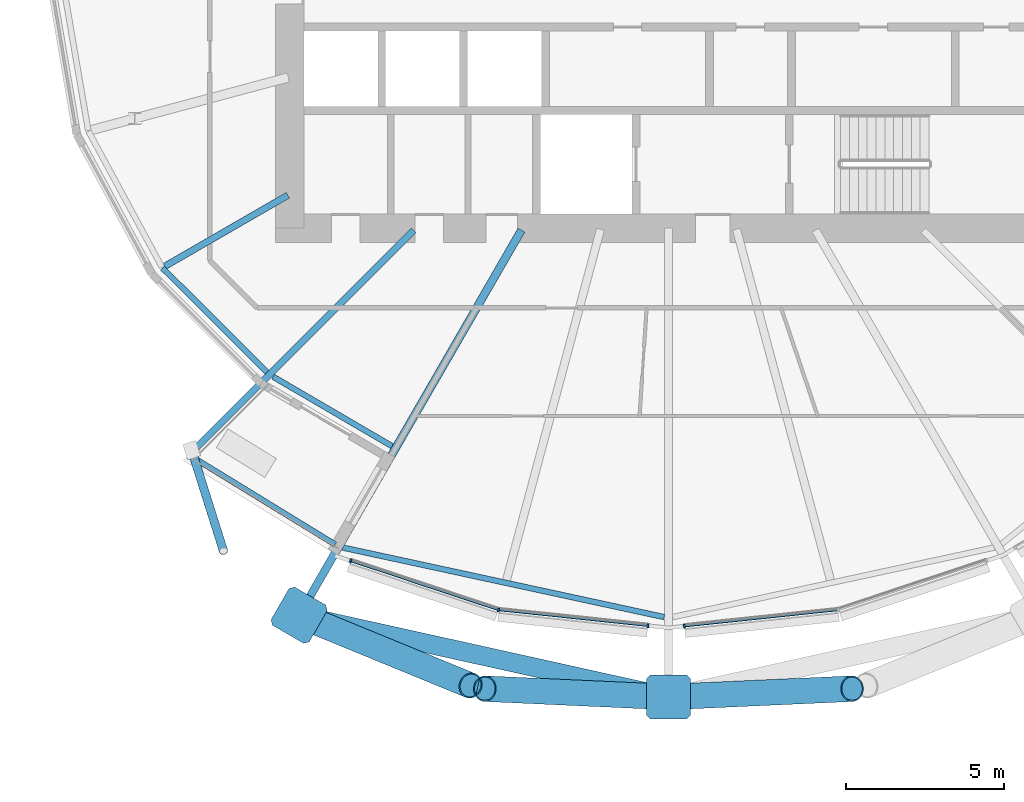
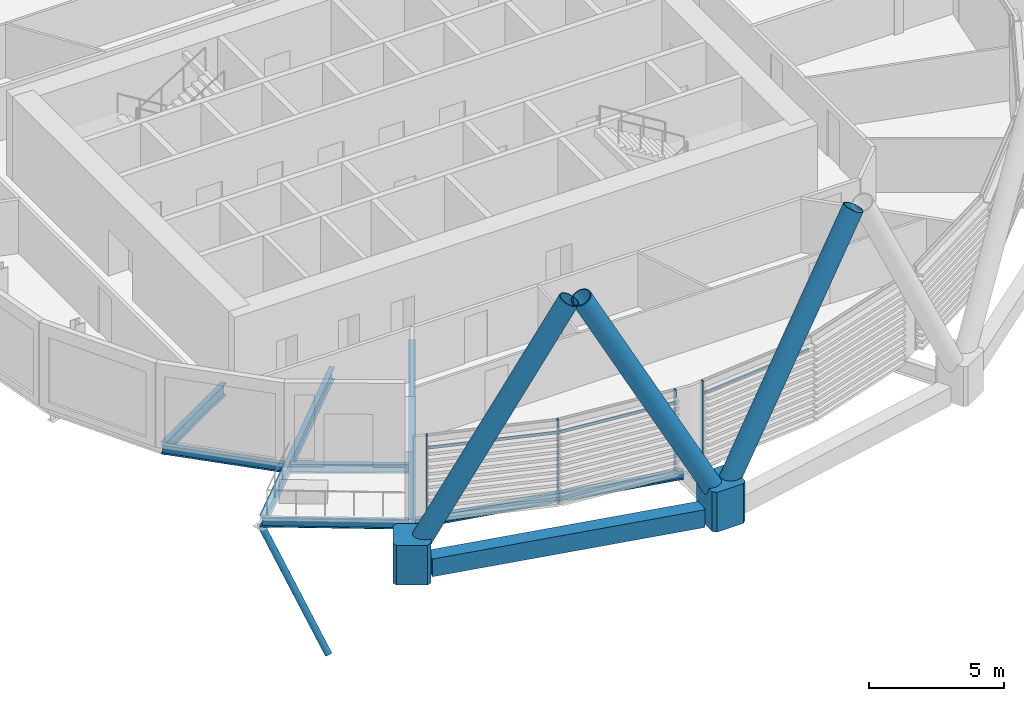
# One storey, part 3 of 40: 13 members, 8 beams, 1 element without a shape of its own.
"""IFC4 building model written with IfcOpenShell, lengths in metres."""

from ifc_helpers import new_model, si_unit, direction, frame, origin, origin_2d, place, context, subcontext, project, spatial, polyline, rectangle, hollow_rectangle, hollow_circle, i_section, outline, extrude, clip, halfspace, material, material_profile, profile_set, type_object, element, aggregate, save


model = new_model("IFC4")

# Units and contexts
model_context = context("Model", 3, precision=1e-05, world=origin(), true_north=direction((0.0, 1.0)))
body_context = subcontext(model_context, "Body", "Model", "MODEL_VIEW")
ifc_project = project(units=[si_unit("LENGTHUNIT", "METRE"), si_unit("AREAUNIT", "SQUARE_METRE"), si_unit("VOLUMEUNIT", "CUBIC_METRE"), si_unit("PLANEANGLEUNIT", "RADIAN"), si_unit("MASSUNIT", "GRAM", prefix="KILO")], contexts=[model_context])

# Site, building, storey
site_placement = place(None, origin())
site = spatial("IfcSite", under=ifc_project, at=site_placement, CompositionType="ELEMENT")
building_placement = place(site_placement, origin())
building = spatial("IfcBuilding", under=site, at=building_placement, Name="Rimbun Link Towers", CompositionType="ELEMENT")
storey_placement = place(building_placement, frame((0.0, 0.0, 52.800048828125)))
storey = spatial("IfcBuildingStorey", under=building, at=storey_placement, Name="L12", CompositionType="ELEMENT", Elevation=52.800048828125)

# Curtain wall, members
ifc_material_1 = material(Name="Aluminium 6063-T6 and low-iron glass", Category="aluminium")
curtain_wall_type = type_object("IfcCurtainWallType", Name="CW1 unitised vision wall", PredefinedType="NOTDEFINED", material=ifc_material_1)
curtain_wall_placement = place(storey_placement, origin())
curtain_wall = element("IfcCurtainWall", 1, at=curtain_wall_placement, inside=storey, type_object=curtain_wall_type, Name="CW1 L12 T1", PredefinedType="NOTDEFINED")
ifc_material_2 = material(Name="Aluminium 6063-T6", Category="aluminium")
ifc_material_profile_1 = material_profile(ifc_material_2, rectangle(XDim=0.1201171875, YDim=0.06005859375, at=origin_2d()), Name="MULLION 60X120")
ifc_profile_set_1 = profile_set([ifc_material_profile_1], Name="Aluminium 6063-T6")
member_type_1 = type_object("IfcMemberType", Name="CW1 mullion 60X120", PredefinedType="MULLION", material=ifc_profile_set_1)
member_1_placement = place(storey_placement, frame((-37.130615234375, -20.09228515625, 0.0), z_axis=(0.0, 0.0, 1.0), x_axis=(-0.210873842747, -0.977513285048, 0.0)))
member_1 = element("IfcMember", 2, at=member_1_placement, type_object=member_type_1, Name="CW1 mullion", PredefinedType="MULLION", context=body_context, shape_type="SweptSolid", body=[
    extrude(rectangle(XDim=0.1201171875, YDim=0.06005859375, at=origin_2d()), origin(), (0.0, 0.0, 1.0), 3.800048828125),
])
member_2_placement = place(storey_placement, frame((-41.81787109375, -18.53955078125, 0.0), z_axis=(0.0, 0.0, 1.0), x_axis=(-0.314563424855, -0.949236457235, 0.0)))
member_2 = element("IfcMember", 3, at=member_2_placement, type_object=member_type_1, Name="CW1 mullion", PredefinedType="MULLION", context=body_context, shape_type="SweptSolid", body=[
    extrude(rectangle(XDim=0.1201171875, YDim=0.06005859375, at=origin_2d()), origin(), (0.0, 0.0, 1.0), 3.800048828125),
])
member_3_placement = place(storey_placement, frame((-32.402587890625, -20.590576171875, 0.0), z_axis=(0.0, 0.0, 1.0), x_axis=(-0.104748434017, -0.994498750915, 0.0)))
member_3 = element("IfcMember", 4, at=member_3_placement, type_object=member_type_1, Name="CW1 mullion", PredefinedType="MULLION", context=body_context, shape_type="SweptSolid", body=[
    extrude(rectangle(XDim=0.1201171875, YDim=0.06005859375, at=origin_2d()), origin(), (0.0, 0.0, 1.0), 3.800048828125),
])
member_4_placement = place(storey_placement, frame((-31.24658203125, -20.6064453125, 0.0), z_axis=(0.0, 0.0, 1.0), x_axis=(0.104748434017, -0.994498750915, 0.0)))
member_4 = element("IfcMember", 5, at=member_4_placement, type_object=member_type_1, Name="CW1 mullion", PredefinedType="MULLION", context=body_context, shape_type="SweptSolid", body=[
    extrude(rectangle(XDim=0.1201171875, YDim=0.06005859375, at=origin_2d()), origin(), (0.0, 0.0, 1.0), 3.800048828125),
])
ifc_material_3 = material(Name="Aluminium 6063-T6", Category="aluminium")
ifc_material_profile_2 = material_profile(ifc_material_3, rectangle(XDim=0.06005859375, YDim=0.1201171875, at=origin_2d()), Name="TRANSOM 60X120")
ifc_profile_set_2 = profile_set([ifc_material_profile_2], Name="Aluminium 6063-T6")
member_type_2 = type_object("IfcMemberType", Name="CW1 transom 60X120", PredefinedType="USERDEFINED", material=ifc_profile_set_2)
member_5_placement = place(storey_placement, frame((-37.164794921875, -20.079345703125, 3.199951171875), z_axis=(-0.949238170968, 0.314558253392, 0.0), x_axis=(-0.314558253392, -0.949238170968, 0.0)))
member_5 = element("IfcMember", 6, at=member_5_placement, type_object=member_type_2, Name="CW1 transom", ObjectType="TRANSOM", PredefinedType="USERDEFINED", context=body_context, shape_type="SweptSolid", body=[
    extrude(rectangle(XDim=0.06005859375, YDim=0.1201171875, at=origin_2d()), origin(), (0.0, 0.0, 1.0), 4.87109375),
])
member_6_placement = place(storey_placement, frame((-32.432373046875, -20.58544921875, 3.199951171875), z_axis=(-0.994500029383, 0.104736295318, 0.0), x_axis=(-0.104736295318, -0.994500029383, 0.0)))
member_6 = element("IfcMember", 7, at=member_6_placement, type_object=member_type_2, Name="CW1 transom", ObjectType="TRANSOM", PredefinedType="USERDEFINED", context=body_context, shape_type="SweptSolid", body=[
    extrude(rectangle(XDim=0.06005859375, YDim=0.1201171875, at=origin_2d()), origin(), (0.0, 0.0, 1.0), 4.687744140625),
])
member_7_placement = place(storey_placement, frame((-26.40576171875, -20.094482421875, 3.199951171875), z_axis=(-0.994496600414, -0.104768849206, 0.0), x_axis=(0.104768849206, -0.994496600414, 0.0)))
member_7 = element("IfcMember", 8, at=member_7_placement, type_object=member_type_2, Name="CW1 transom", ObjectType="TRANSOM", PredefinedType="USERDEFINED", context=body_context, shape_type="SweptSolid", body=[
    extrude(rectangle(XDim=0.06005859375, YDim=0.1201171875, at=origin_2d()), origin(), (0.0, 0.0, 1.0), 4.837646484375),
])
aggregate(curtain_wall, [member_1, member_2, member_3, member_4, member_5, member_6, member_7])

# Members
ifc_material_4 = material(Name="Steel S460NH", Category="steel")
ifc_material_profile_3 = material_profile(ifc_material_4, hollow_circle(Radius=0.406494140625, WallThickness=0.0400390625, at=origin_2d()), Name="Diagrid diagonal CHS 813x40")
ifc_profile_set_3 = profile_set([ifc_material_profile_3], Name="Steel S460NH")
member_type_3 = type_object("IfcMemberType", Name="Diagrid diagonal CHS 813x40", PredefinedType="BRACE", material=ifc_profile_set_3)
member_8_placement = place(storey_placement, frame((-43.2275390625, -20.34765625, 0.440673828125), z_axis=(0.436685293391, -0.179147169469, 0.881596419121), x_axis=(0.379545890298, 0.925172912032, 0.0)))
element("IfcMember", 9, at=member_8_placement, inside=storey, type_object=member_type_3, Name="Diagrid diagonal T1 L12-L15 16b", PredefinedType="BRACE", context=body_context, shape_type="SweptSolid", body=[
    extrude(hollow_circle(Radius=0.406494140625, WallThickness=0.0400390625, at=origin_2d()), origin(), (0.0, 0.0, 1.0), 11.93115234375),
])
for number, where, z_axis, x_axis, name in (
    (10, (-31.984375, -22.83837890625, 0.441650390625), (-0.468615412068, 0.021260628355, 0.883146409863), (-0.045322412858, -0.998972411477, 0.0), "Diagrid diagonal T1 L12-L15 18a"),
    (11, (-31.515625, -22.83837890625, 0.441650390625), (0.468615412068, 0.021260628355, 0.883146409863), (-0.045322412858, 0.998972411477, 0.0), "Diagrid diagonal T1 L12-L15 18b"),
):
    element("IfcMember", number, at=place(storey_placement, frame(where, z_axis=z_axis, x_axis=x_axis)), inside=storey, type_object=member_type_3, Name=name, PredefinedType="BRACE", context=body_context, shape_type="SweptSolid", body=[
        extrude(hollow_circle(Radius=0.406494140625, WallThickness=0.0400390625, at=origin_2d()), origin(), (0.0, 0.0, 1.0), 11.908203125),
    ])
ifc_material_5 = material(Name="Cast steel G20Mn5+QT, Rp0.2 300 MPa", Category="steel")
ifc_material_profile_4 = material_profile(ifc_material_5, outline(polyline([(0.699951171875, -0.570068359375), (0.699951171875, 0.570068359375), (0.570068359375, 0.699951171875), (-0.570068359375, 0.699951171875), (-0.699951171875, 0.570068359375), (-0.699951171875, -0.570068359375), (-0.570068359375, -0.699951171875), (0.570068359375, -0.699951171875), (0.699951171875, -0.570068359375)])), Name="NODE 1400x1400")
ifc_profile_set_4 = profile_set([ifc_material_profile_4], Name="Cast steel G20Mn5+QT, Rp0.2 300 MPa")
member_type_4 = type_object("IfcMemberType", Name="Diagrid node cast 1400", PredefinedType="USERDEFINED", material=ifc_profile_set_4)
for number, where, z_axis, x_axis, name in (
    (12, (-43.446044921875, -20.258056640625, -0.900146484375), (0.0, 0.0, 1.0), (-0.5, -0.866025403784, 0.0), "Diagrid node L12 16"),
    (13, (-31.75, -22.84912109375, -0.900146484375), (0.0, 0.0, 1.0), (0.0, -1.0, 0.0), "Diagrid node L12 18"),
):
    element("IfcMember", number, at=place(storey_placement, frame(where, z_axis=z_axis, x_axis=x_axis)), inside=storey, type_object=member_type_4, Name=name, ObjectType="Diagrid node", PredefinedType="USERDEFINED", context=body_context, shape_type="SweptSolid", body=[
        extrude(outline(polyline([(0.699951171875, -0.570068359375), (0.699951171875, 0.570068359375), (0.570068359375, 0.699951171875), (-0.570068359375, 0.699951171875), (-0.699951171875, 0.570068359375), (-0.699951171875, -0.570068359375), (-0.570068359375, -0.699951171875), (0.570068359375, -0.699951171875), (0.699951171875, -0.570068359375)])), origin(), (0.0, 0.0, 1.0), 1.800048828125),
    ])

# Beam
ifc_material_6 = material(Name="Steel S355J2", Category="steel")
ifc_material_profile_5 = material_profile(ifc_material_6, hollow_rectangle(XDim=0.60009765625, YDim=0.800048828125, WallThickness=0.0400390625, at=origin_2d()), Name="Exoskeleton ring girder BOX 600x800x40")
ifc_profile_set_5 = profile_set([ifc_material_profile_5], Name="Steel S355J2")
beam_type_1 = type_object("IfcBeamType", Name="Exoskeleton ring girder BOX 600x800x40", PredefinedType="BEAM", material=ifc_profile_set_5)
beam_1_placement = place(storey_placement, frame((-42.7626953125, -20.409423828125, -0.56005859375), z_axis=(0.976328566554, -0.216292695509, 0.0), x_axis=(0.216292695509, 0.976328566554, 0.0)))
element("IfcBeam", 14, at=beam_1_placement, inside=storey, type_object=beam_type_1, Name="Exoskeleton ring girder L12 06", PredefinedType="BEAM", context=body_context, shape_type="SweptSolid", body=[
    extrude(hollow_rectangle(XDim=0.60009765625, YDim=0.800048828125, WallThickness=0.0400390625, at=origin_2d()), origin(), (0.0, 0.0, 1.0), 10.579833984375),
])

# Member
ifc_material_7 = material(Name="Steel S355J2H", Category="steel")
ifc_material_profile_6 = material_profile(ifc_material_7, hollow_circle(Radius=0.136474609375, WallThickness=0.012451171875, at=origin_2d()), Name="CHS 273x12.5")
ifc_profile_set_6 = profile_set([ifc_material_profile_6], Name="Steel S355J2H")
member_type_5 = type_object("IfcMemberType", Name="Floor edge link CHS 273x12.5", PredefinedType="BRACE", material=ifc_profile_set_6)
member_9_placement = place(storey_placement, frame((-46.8330078125, -15.0830078125, -0.779541015625), z_axis=(0.187854105885, -0.595624843093, -0.780987759951), x_axis=(0.953692006674, 0.300784900563, 0.0)))
element("IfcMember", 15, at=member_9_placement, inside=storey, type_object=member_type_5, Name="Floor edge link T1 L12 15", PredefinedType="BRACE", context=body_context, shape_type="Clipping", body=[
    clip(extrude(hollow_circle(Radius=0.136474609375, WallThickness=0.012451171875, at=origin_2d()), frame((0.0, 0.0, -0.231201171875)), (0.0, 0.0, 1.0), 5.523193359375), halfspace(frame((0.0, 0.0, -0.108154296875), z_axis=(0.0, 0.624546330393, -0.780987759951)), False)),
])

# Beams
ifc_material_8 = material(Name="Steel S355J2", Category="steel")
ifc_material_profile_7 = material_profile(ifc_material_8, i_section(OverallWidth=0.177978515625, OverallDepth=0.406494140625, WebThickness=0.0078125, FlangeThickness=0.0126953125, at=origin_2d()), Name="UB 406x178x60")
ifc_profile_set_7 = profile_set([ifc_material_profile_7], Name="Steel S355J2")
beam_type_2 = type_object("IfcBeamType", Name="UB 406x178x60", PredefinedType="BEAM", material=ifc_profile_set_7)
beam_2_placement = place(storey_placement, frame((-47.771728515625, -9.265869140625, -0.36328125), z_axis=(0.708464389029, -0.70574656179, 0.0), x_axis=(0.70574656179, 0.708464389029, 0.0)))
element("IfcBeam", 16, at=beam_2_placement, inside=storey, type_object=beam_type_2, Name="Edge beam T1 L12 14 recess", PredefinedType="BEAM", context=body_context, shape_type="SweptSolid", body=[
    extrude(i_section(OverallWidth=0.177978515625, OverallDepth=0.406494140625, WebThickness=0.0078125, FlangeThickness=0.0126953125, at=origin_2d()), origin(), (0.0, 0.0, 1.0), 4.671142578125),
])
beam_3_placement = place(storey_placement, frame((-44.272705078125, -12.7041015625, -0.36328125), z_axis=(0.863523170096, -0.504309165798, 0.0), x_axis=(0.504309165798, 0.863523170096, 0.0)))
element("IfcBeam", 17, at=beam_3_placement, inside=storey, type_object=beam_type_2, Name="Edge beam T1 L12 15 recess", PredefinedType="BEAM", context=body_context, shape_type="SweptSolid", body=[
    extrude(i_section(OverallWidth=0.177978515625, OverallDepth=0.406494140625, WebThickness=0.0078125, FlangeThickness=0.0126953125, at=origin_2d()), origin(), (0.0, 0.0, 1.0), 4.36474609375),
])
beam_4_placement = place(storey_placement, frame((-46.93310546875, -15.184326171875, -0.36328125), z_axis=(0.852662005769, -0.522462921094, 0.0), x_axis=(0.522462921094, 0.852662005769, 0.0)))
element("IfcBeam", 18, at=beam_4_placement, inside=storey, type_object=beam_type_2, Name="Edge beam T1 L12 15 terrace", PredefinedType="BEAM", context=body_context, shape_type="SweptSolid", body=[
    extrude(i_section(OverallWidth=0.177978515625, OverallDepth=0.406494140625, WebThickness=0.0078125, FlangeThickness=0.0126953125, at=origin_2d()), origin(), (0.0, 0.0, 1.0), 5.428466796875),
])
beam_5_placement = place(storey_placement, frame((-42.062255859375, -18.11669921875, -0.36328125), z_axis=(0.977389159569, -0.211448411575, 0.0), x_axis=(0.211448411575, 0.977389159569, 0.0)))
element("IfcBeam", 19, at=beam_5_placement, inside=storey, type_object=beam_type_2, Name="Edge beam T1 L12 16-18", PredefinedType="BEAM", context=body_context, shape_type="SweptSolid", body=[
    extrude(i_section(OverallWidth=0.177978515625, OverallDepth=0.406494140625, WebThickness=0.0078125, FlangeThickness=0.0126953125, at=origin_2d()), origin(), (0.0, 0.0, 1.0), 10.413330078125),
])
ifc_material_9 = material(Name="Steel S355J2", Category="steel")
ifc_material_profile_8 = material_profile(ifc_material_9, i_section(OverallWidth=0.209228515625, OverallDepth=0.533203125, WebThickness=0.010009765625, FlangeThickness=0.015625, at=origin_2d()), Name="UB 533x210x92")
ifc_profile_set_8 = profile_set([ifc_material_profile_8], Name="Steel S355J2")
beam_type_3 = type_object("IfcBeamType", Name="UB 533x210x92", PredefinedType="BEAM", material=ifc_profile_set_8)
beam_6_placement = place(storey_placement, frame((-43.80322265625, -6.958984375, -0.4267578125), z_axis=(-0.866015853839, -0.500016540626, 0.0), x_axis=(0.500016540626, -0.866015853839, 0.0)))
element("IfcBeam", 20, at=beam_6_placement, inside=storey, type_object=beam_type_3, Name="Radial beam T1 L12 14", PredefinedType="BEAM", context=body_context, shape_type="SweptSolid", body=[
    extrude(i_section(OverallWidth=0.209228515625, OverallDepth=0.533203125, WebThickness=0.010009765625, FlangeThickness=0.015625, at=origin_2d()), origin(), (0.0, 0.0, 1.0), 4.503173828125),
])
beam_7_placement = place(storey_placement, frame((-39.82470703125, -8.07470703125, -0.4267578125), z_axis=(-0.707106781187, -0.707106781187, 0.0), x_axis=(0.707106781187, -0.707106781187, 0.0)))
element("IfcBeam", 21, at=beam_7_placement, inside=storey, type_object=beam_type_3, Name="Radial beam T1 L12 15", PredefinedType="BEAM", context=body_context, shape_type="SweptSolid", body=[
    extrude(i_section(OverallWidth=0.209228515625, OverallDepth=0.533203125, WebThickness=0.010009765625, FlangeThickness=0.015625, at=origin_2d()), origin(), (0.0, 0.0, 1.0), 9.961181640625),
])
ifc_material_10 = material(Name="Steel S355J2", Category="steel")
ifc_material_profile_9 = material_profile(ifc_material_10, i_section(OverallWidth=0.253662109375, OverallDepth=0.68359375, WebThickness=0.012451171875, FlangeThickness=0.01904296875, at=origin_2d()), Name="UB 686x254x140")
ifc_profile_set_9 = profile_set([ifc_material_profile_9], Name="Steel S355J2")
beam_type_4 = type_object("IfcBeamType", Name="UB 686x254x140", PredefinedType="BEAM", material=ifc_profile_set_9)
beam_8_placement = place(storey_placement, frame((-36.406005859375, -8.064208984375, -0.501708984375), z_axis=(-0.499990635695, -0.866030810201, 0.0), x_axis=(0.866030810201, -0.499990635695, 0.0)))
element("IfcBeam", 22, at=beam_8_placement, inside=storey, type_object=beam_type_4, Name="Radial beam T1 L12 16", PredefinedType="BEAM", context=body_context, shape_type="SweptSolid", body=[
    extrude(i_section(OverallWidth=0.253662109375, OverallDepth=0.68359375, WebThickness=0.012451171875, FlangeThickness=0.01904296875, at=origin_2d()), origin(), (0.0, 0.0, 1.0), 13.580322265625),
])

save(model, "model.ifc")
